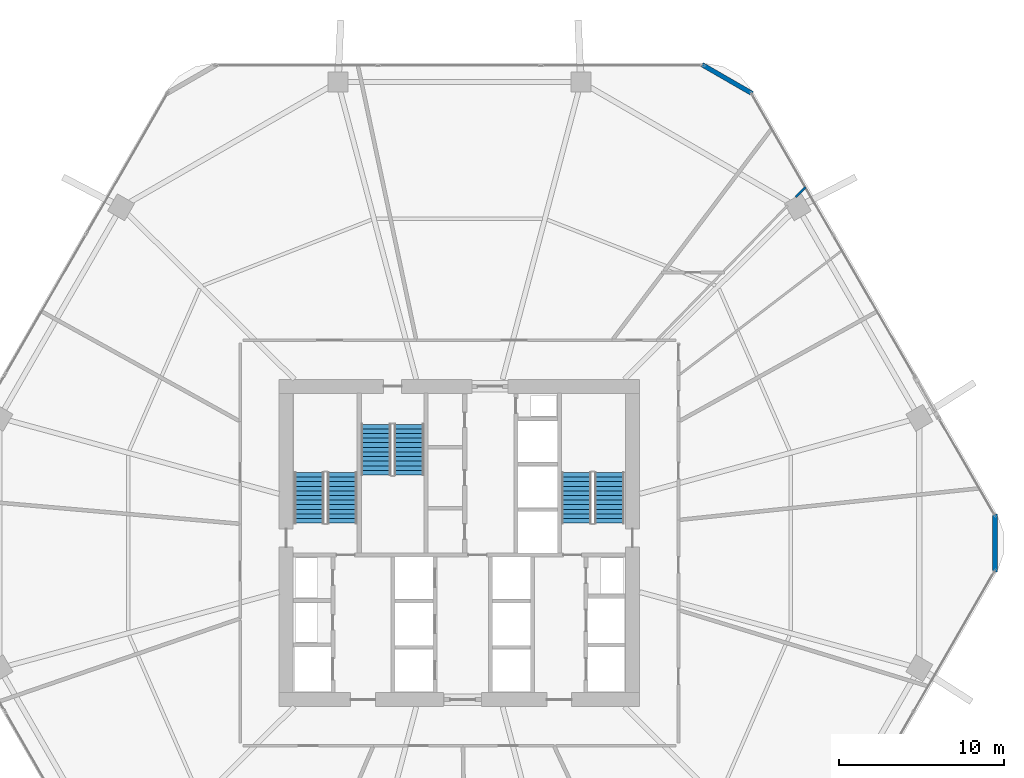
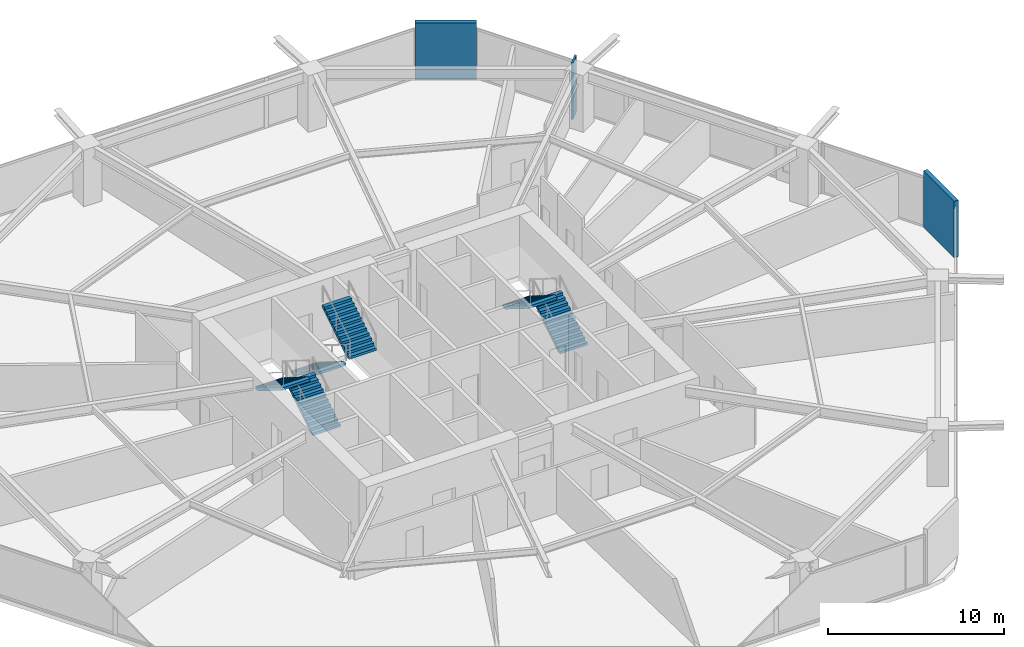
# One storey, part 24 of 25: 6 stair flights, 3 walls, 3 elements without a shape of their own.
"""IFC4 building model written with IfcOpenShell, lengths in metres."""

from ifc_helpers import new_model, si_unit, direction, frame, frame_2d, origin, place, context, subcontext, project, spatial, polyline, rectangle, outline, extrude, material, layer, layer_set, type_object, element, aggregate, save


model = new_model("IFC4")

# Units and contexts
model_context = context("Model", 3, precision=1e-05, world=origin(), true_north=direction((0.0, 1.0)))
body_context = subcontext(model_context, "Body", "Model", "MODEL_VIEW")
ifc_project = project(units=[si_unit("LENGTHUNIT", "METRE"), si_unit("AREAUNIT", "SQUARE_METRE"), si_unit("VOLUMEUNIT", "CUBIC_METRE"), si_unit("PLANEANGLEUNIT", "RADIAN"), si_unit("MASSUNIT", "GRAM", prefix="KILO")], contexts=[model_context])

# Site, building, storey
site_placement = place(None, origin())
site = spatial("IfcSite", under=ifc_project, at=site_placement, CompositionType="ELEMENT")
building_placement = place(site_placement, origin())
building = spatial("IfcBuilding", under=site, at=building_placement, Name="Zuhravey Tower", CompositionType="ELEMENT")
storey_placement = place(building_placement, frame((0.0, 0.0, 62.39990234375)))
storey = spatial("IfcBuildingStorey", under=building, at=storey_placement, Name="L15", CompositionType="ELEMENT", Elevation=62.39990234375)

# Walls
ifc_material_1 = material(Name="Precast concrete C40/50", Category="concrete")
ifc_layer_1 = layer(ifc_material_1, 0.280029296875)
ifc_layer_set_1 = layer_set([ifc_layer_1], Name="Precast concrete C40/50")
wall_type_1 = type_object("IfcWallType", Name="Crown Architectural Wall 280", PredefinedType="SOLIDWALL", material=ifc_layer_set_1)
wall_1_placement = place(storey_placement, frame((50.71728515625, 61.006103515625, 0.0), z_axis=(0.0, 0.0, 1.0), x_axis=(0.866007452331, -0.500031091541, 0.0)))
element("IfcWall", 1, at=wall_1_placement, inside=storey, type_object=wall_type_1, Name="L15 Rounded Corner Closure Wall EW28-10", PredefinedType="SOLIDWALL", context=body_context, shape_type="SweptSolid", body=[
    extrude(rectangle(XDim=3.514892578125, YDim=0.280029296875, at=frame_2d((1.75732421875, 0.0))), origin(), (0.0, 0.0, 1.0), 3.920166015625),
])
wall_2_placement = place(storey_placement, frame((68.478515625, 33.757568359375, 0.0), z_axis=(0.0, 0.0, 1.0), x_axis=(0.0, -1.0, 0.0)))
element("IfcWall", 2, at=wall_2_placement, inside=storey, type_object=wall_type_1, Name="L15 Rounded Corner Closure Wall EW28-12", PredefinedType="SOLIDWALL", context=body_context, shape_type="SweptSolid", body=[
    extrude(rectangle(XDim=3.51513671875, YDim=0.280029296875, at=frame_2d((1.757568359375, 0.0))), origin(), (0.0, 0.0, 1.0), 3.920166015625),
])
ifc_material_2 = material(Name="Gypsum metal-stud partition")
ifc_layer_2 = layer(ifc_material_2, 0.1201171875)
ifc_layer_set_2 = layer_set([ifc_layer_2], Name="Gypsum metal-stud partition")
wall_type_2 = type_object("IfcWallType", Name="Unit Internal Partition 120", PredefinedType="PARTITIONING", material=ifc_layer_set_2)
wall_3_placement = place(storey_placement, frame((56.399169921875, 52.976806640625, 0.0), z_axis=(0.0, 0.0, 1.0), x_axis=(0.69724946606, 0.716828558359, 0.0)))
element("IfcWall", 3, at=wall_3_placement, inside=storey, type_object=wall_type_2, Name="L15 IW12 Partition 047", PredefinedType="PARTITIONING", context=body_context, shape_type="SweptSolid", body=[
    extrude(rectangle(XDim=0.83544921875, YDim=0.1201171875, at=frame_2d((0.417724609375, 0.0))), origin(), (0.0, 0.0, 1.0), 3.920166015625),
])

# Stair, stair flights
ifc_material_3 = material(Name="Concrete C40/50", Category="concrete")
stair_type = type_object("IfcStairType", Name="School Storey Stair Assembly 4200", PredefinedType="HALF_TURN_STAIR", material=ifc_material_3)
stair_1_placement = place(storey_placement, origin())
stair_1 = element("IfcStair", 4, at=stair_1_placement, inside=storey, type_object=stair_type, Name="L15 Core Exit Stair ST1", PredefinedType="HALF_TURN_STAIR")
stair_flight_type = type_object("IfcStairFlightType", Name="School Storey Stair Flight 4200", PredefinedType="STRAIGHT", material=ifc_material_3)
stair_flight_1_placement = place(storey_placement, frame((28.89990234375, 33.199951171875, 0.0), z_axis=(0.0, 0.0, 1.0), x_axis=(0.0, 1.0, 0.0)))
stair_flight_1 = element("IfcStairFlight", 5, at=stair_flight_1_placement, type_object=stair_flight_type, Name="ST1 flight 1", NumberOfRisers=12, NumberOfTreads=11, PredefinedType="STRAIGHT", RiserHeight=0.175, TreadLength=0.28, context=body_context, shape_type="SweptSolid", body=[
    extrude(outline(polyline([(0.0, 0.0), (0.0, 0.175048828125), (0.280029296875, 0.175048828125), (0.280029296875, 0.35009765625), (0.56005859375, 0.35009765625), (0.56005859375, 0.52490234375), (0.840087890625, 0.52490234375), (0.840087890625, 0.699951171875), (1.1201171875, 0.699951171875), (1.1201171875, 0.875), (1.39990234375, 0.875), (1.39990234375, 1.050048828125), (1.679931640625, 1.050048828125), (1.679931640625, 1.22509765625), (1.9599609375, 1.22509765625), (1.9599609375, 1.39990234375), (2.239990234375, 1.39990234375), (2.239990234375, 1.574951171875), (2.52001953125, 1.574951171875), (2.52001953125, 1.75), (2.800048828125, 1.75), (2.800048828125, 1.925048828125), (3.080078125, 1.925048828125), (3.080078125, 2.10009765625), (3.080078125, 1.748291015625), (0.28271484375, 0.0), (0.0, 0.0)])), frame((0.0, 0.89990234375, 0.0), z_axis=(0.0, -1.0, 0.0), x_axis=(1.0, 0.0, 0.0)), (0.0, 0.0, 1.0), 1.800048828125),
])
stair_flight_2_placement = place(storey_placement, frame((26.89990234375, 36.280029296875, 2.10009765625), z_axis=(0.0, 0.0, 1.0), x_axis=(0.0, -1.0, 0.0)))
stair_flight_2 = element("IfcStairFlight", 6, at=stair_flight_2_placement, type_object=stair_flight_type, Name="ST1 flight 2", NumberOfRisers=12, NumberOfTreads=11, PredefinedType="STRAIGHT", RiserHeight=0.175, TreadLength=0.28, context=body_context, shape_type="SweptSolid", body=[
    extrude(outline(polyline([(0.0, 0.0), (0.0, 0.175048828125), (0.280029296875, 0.175048828125), (0.280029296875, 0.35009765625), (0.56005859375, 0.35009765625), (0.56005859375, 0.52490234375), (0.840087890625, 0.52490234375), (0.840087890625, 0.699951171875), (1.1201171875, 0.699951171875), (1.1201171875, 0.875), (1.39990234375, 0.875), (1.39990234375, 1.050048828125), (1.679931640625, 1.050048828125), (1.679931640625, 1.22509765625), (1.9599609375, 1.22509765625), (1.9599609375, 1.39990234375), (2.239990234375, 1.39990234375), (2.239990234375, 1.574951171875), (2.52001953125, 1.574951171875), (2.52001953125, 1.75), (2.800048828125, 1.75), (2.800048828125, 1.925048828125), (3.080078125, 1.925048828125), (3.080078125, 2.10009765625), (3.080078125, 1.748291015625), (0.28271484375, 0.0), (0.0, 0.0)])), frame((0.0, 0.89990234375, 0.0), z_axis=(0.0, -1.0, 0.0), x_axis=(1.0, 0.0, 0.0)), (0.0, 0.0, 1.0), 1.800048828125),
])
aggregate(stair_1, [stair_flight_1, stair_flight_2])

stair_2_placement = place(storey_placement, origin())
stair_2 = element("IfcStair", 7, at=stair_2_placement, inside=storey, type_object=stair_type, Name="L15 Core Exit Stair ST2", PredefinedType="HALF_TURN_STAIR")
stair_flight_3_placement = place(storey_placement, frame((45.10009765625, 33.199951171875, 0.0), z_axis=(0.0, 0.0, 1.0), x_axis=(0.0, 1.0, 0.0)))
stair_flight_3 = element("IfcStairFlight", 8, at=stair_flight_3_placement, type_object=stair_flight_type, Name="ST2 flight 1", NumberOfRisers=12, NumberOfTreads=11, PredefinedType="STRAIGHT", RiserHeight=0.175, TreadLength=0.28, context=body_context, shape_type="SweptSolid", body=[
    extrude(outline(polyline([(0.0, 0.0), (0.0, 0.175048828125), (0.280029296875, 0.175048828125), (0.280029296875, 0.35009765625), (0.56005859375, 0.35009765625), (0.56005859375, 0.52490234375), (0.840087890625, 0.52490234375), (0.840087890625, 0.699951171875), (1.1201171875, 0.699951171875), (1.1201171875, 0.875), (1.39990234375, 0.875), (1.39990234375, 1.050048828125), (1.679931640625, 1.050048828125), (1.679931640625, 1.22509765625), (1.9599609375, 1.22509765625), (1.9599609375, 1.39990234375), (2.239990234375, 1.39990234375), (2.239990234375, 1.574951171875), (2.52001953125, 1.574951171875), (2.52001953125, 1.75), (2.800048828125, 1.75), (2.800048828125, 1.925048828125), (3.080078125, 1.925048828125), (3.080078125, 2.10009765625), (3.080078125, 1.748291015625), (0.28271484375, 0.0), (0.0, 0.0)])), frame((0.0, 0.89990234375, 0.0), z_axis=(0.0, -1.0, 0.0), x_axis=(1.0, 0.0, 0.0)), (0.0, 0.0, 1.0), 1.800048828125),
])
stair_flight_4_placement = place(storey_placement, frame((43.10009765625, 36.280029296875, 2.10009765625), z_axis=(0.0, 0.0, 1.0), x_axis=(0.0, -1.0, 0.0)))
stair_flight_4 = element("IfcStairFlight", 9, at=stair_flight_4_placement, type_object=stair_flight_type, Name="ST2 flight 2", NumberOfRisers=12, NumberOfTreads=11, PredefinedType="STRAIGHT", RiserHeight=0.175, TreadLength=0.28, context=body_context, shape_type="SweptSolid", body=[
    extrude(outline(polyline([(0.0, 0.0), (0.0, 0.175048828125), (0.280029296875, 0.175048828125), (0.280029296875, 0.35009765625), (0.56005859375, 0.35009765625), (0.56005859375, 0.52490234375), (0.840087890625, 0.52490234375), (0.840087890625, 0.699951171875), (1.1201171875, 0.699951171875), (1.1201171875, 0.875), (1.39990234375, 0.875), (1.39990234375, 1.050048828125), (1.679931640625, 1.050048828125), (1.679931640625, 1.22509765625), (1.9599609375, 1.22509765625), (1.9599609375, 1.39990234375), (2.239990234375, 1.39990234375), (2.239990234375, 1.574951171875), (2.52001953125, 1.574951171875), (2.52001953125, 1.75), (2.800048828125, 1.75), (2.800048828125, 1.925048828125), (3.080078125, 1.925048828125), (3.080078125, 2.10009765625), (3.080078125, 1.748291015625), (0.28271484375, 0.0), (0.0, 0.0)])), frame((0.0, 0.89990234375, 0.0), z_axis=(0.0, -1.0, 0.0), x_axis=(1.0, 0.0, 0.0)), (0.0, 0.0, 1.0), 1.800048828125),
])
aggregate(stair_2, [stair_flight_3, stair_flight_4])

stair_3_placement = place(storey_placement, origin())
stair_3 = element("IfcStair", 10, at=stair_3_placement, inside=storey, type_object=stair_type, Name="L15 Core Exit Stair ST3", PredefinedType="HALF_TURN_STAIR")
stair_flight_5_placement = place(storey_placement, frame((30.949951171875, 39.199951171875, 0.0), z_axis=(0.0, 0.0, 1.0), x_axis=(0.0, -1.0, 0.0)))
stair_flight_5 = element("IfcStairFlight", 11, at=stair_flight_5_placement, type_object=stair_flight_type, Name="ST3 flight 1", NumberOfRisers=12, NumberOfTreads=11, PredefinedType="STRAIGHT", RiserHeight=0.175, TreadLength=0.28, context=body_context, shape_type="SweptSolid", body=[
    extrude(outline(polyline([(0.0, 0.0), (0.0, 0.175048828125), (0.280029296875, 0.175048828125), (0.280029296875, 0.35009765625), (0.56005859375, 0.35009765625), (0.56005859375, 0.52490234375), (0.840087890625, 0.52490234375), (0.840087890625, 0.699951171875), (1.1201171875, 0.699951171875), (1.1201171875, 0.875), (1.39990234375, 0.875), (1.39990234375, 1.050048828125), (1.679931640625, 1.050048828125), (1.679931640625, 1.22509765625), (1.9599609375, 1.22509765625), (1.9599609375, 1.39990234375), (2.239990234375, 1.39990234375), (2.239990234375, 1.574951171875), (2.52001953125, 1.574951171875), (2.52001953125, 1.75), (2.800048828125, 1.75), (2.800048828125, 1.925048828125), (3.080078125, 1.925048828125), (3.080078125, 2.10009765625), (3.080078125, 1.748291015625), (0.28271484375, 0.0), (0.0, 0.0)])), frame((0.0, 0.89990234375, 0.0), z_axis=(0.0, -1.0, 0.0), x_axis=(1.0, 0.0, 0.0)), (0.0, 0.0, 1.0), 1.800048828125),
])
stair_flight_6_placement = place(storey_placement, frame((32.949951171875, 36.1201171875, 2.10009765625), z_axis=(0.0, 0.0, 1.0), x_axis=(0.0, 1.0, 0.0)))
stair_flight_6 = element("IfcStairFlight", 12, at=stair_flight_6_placement, type_object=stair_flight_type, Name="ST3 flight 2", NumberOfRisers=12, NumberOfTreads=11, PredefinedType="STRAIGHT", RiserHeight=0.175, TreadLength=0.28, context=body_context, shape_type="SweptSolid", body=[
    extrude(outline(polyline([(0.0, 0.0), (0.0, 0.175048828125), (0.280029296875, 0.175048828125), (0.280029296875, 0.35009765625), (0.56005859375, 0.35009765625), (0.56005859375, 0.52490234375), (0.840087890625, 0.52490234375), (0.840087890625, 0.699951171875), (1.1201171875, 0.699951171875), (1.1201171875, 0.875), (1.39990234375, 0.875), (1.39990234375, 1.050048828125), (1.679931640625, 1.050048828125), (1.679931640625, 1.22509765625), (1.9599609375, 1.22509765625), (1.9599609375, 1.39990234375), (2.239990234375, 1.39990234375), (2.239990234375, 1.574951171875), (2.52001953125, 1.574951171875), (2.52001953125, 1.75), (2.800048828125, 1.75), (2.800048828125, 1.925048828125), (3.080078125, 1.925048828125), (3.080078125, 2.10009765625), (3.080078125, 1.748291015625), (0.28271484375, 0.0), (0.0, 0.0)])), frame((0.0, 0.89990234375, 0.0), z_axis=(0.0, -1.0, 0.0), x_axis=(1.0, 0.0, 0.0)), (0.0, 0.0, 1.0), 1.800048828125),
])
aggregate(stair_3, [stair_flight_5, stair_flight_6])

save(model, "model.ifc")
